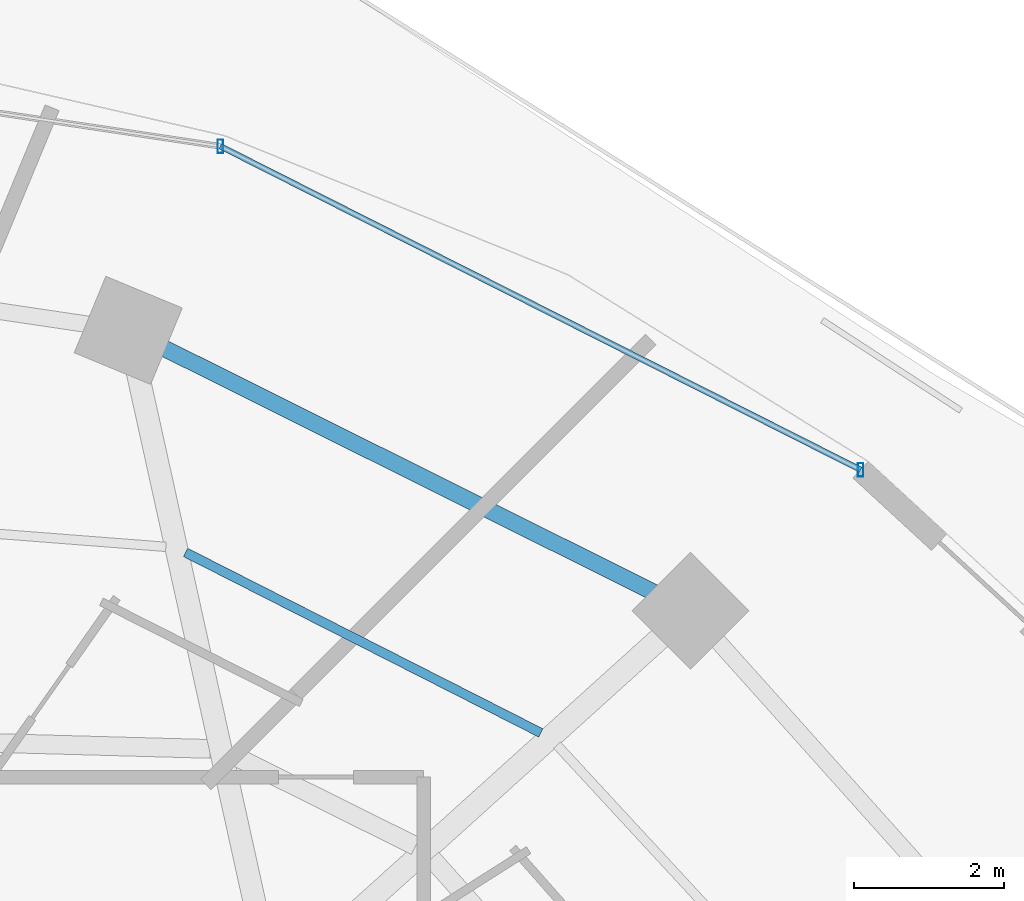
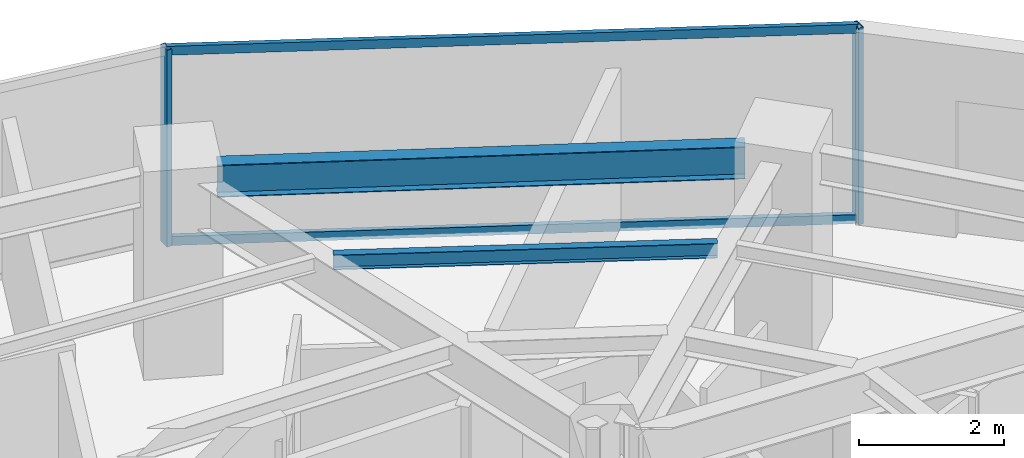
# One storey, part 22 of 31: 4 members, 2 beams, 1 element without a shape of its own.
"""IFC4 building model written with IfcOpenShell, lengths in metres."""

from ifc_helpers import new_model, si_unit, direction, frame, origin, origin_2d, place, context, subcontext, project, spatial, hollow_rectangle, i_section, extrude, material, material_profile, profile_set, type_object, element, aggregate, save


model = new_model("IFC4")

# Units and contexts
model_context = context("Model", 3, precision=1e-05, world=origin(), true_north=direction((0.0, 1.0)))
body_context = subcontext(model_context, "Body", "Model", "MODEL_VIEW")
ifc_project = project(units=[si_unit("LENGTHUNIT", "METRE"), si_unit("AREAUNIT", "SQUARE_METRE"), si_unit("VOLUMEUNIT", "CUBIC_METRE"), si_unit("PLANEANGLEUNIT", "RADIAN"), si_unit("MASSUNIT", "GRAM", prefix="KILO")], contexts=[model_context])

# Site, building, storey
site_placement = place(None, origin())
site = spatial("IfcSite", under=ifc_project, at=site_placement, CompositionType="ELEMENT")
building_placement = place(site_placement, origin())
building = spatial("IfcBuilding", under=site, at=building_placement, Name="Vorneva Point Tower", CompositionType="ELEMENT")
storey_placement = place(building_placement, frame((0.0, 0.0, 99.800048828125)))
storey = spatial("IfcBuildingStorey", under=building, at=storey_placement, Name="L26", CompositionType="ELEMENT", Elevation=99.800048828125)

# Beams
ifc_material_1 = material(Name="Steel S355", Category="steel")
ifc_material_profile_1 = material_profile(ifc_material_1, i_section(OverallWidth=0.1240234375, OverallDepth=0.248046875, WebThickness=0.0048828125, FlangeThickness=0.008056640625, at=origin_2d()), Name="25B1")
ifc_profile_set_1 = profile_set([ifc_material_profile_1], Name="Steel S355")
beam_type_1 = type_object("IfcBeamType", Name="BM-JST-25B1", PredefinedType="JOIST", material=ifc_profile_set_1)
beam_1_placement = place(storey_placement, frame((52.307373046875, 36.537109375, 3.115966796875), z_axis=(-0.89155318404, 0.452916018737, 0.0), x_axis=(-0.452916018737, -0.89155318404, 0.0)))
element("IfcBeam", 1, at=beam_1_placement, inside=storey, type_object=beam_type_1, Name="L26 Secondary Floor Beam 1.03", PredefinedType="JOIST", context=body_context, shape_type="SweptSolid", body=[
    extrude(i_section(OverallWidth=0.1240234375, OverallDepth=0.248046875, WebThickness=0.0048828125, FlangeThickness=0.008056640625, at=origin_2d()), origin(), (0.0, 0.0, 1.0), 5.30029296875),
])
ifc_material_profile_2 = material_profile(ifc_material_1, i_section(OverallWidth=0.219970703125, OverallDepth=0.54296875, WebThickness=0.009521484375, FlangeThickness=0.013427734375, at=origin_2d()), Name="55B1")
ifc_profile_set_2 = profile_set([ifc_material_profile_2], Name="Steel S355")
beam_type_2 = type_object("IfcBeamType", Name="BM-SPN-55B1", PredefinedType="SPANDREL", material=ifc_profile_set_2)
beam_2_placement = place(storey_placement, frame((53.820068359375, 38.40087890625, 2.968505859375), z_axis=(-0.894915882304, 0.446234874926, 0.0), x_axis=(-0.446234874926, -0.894915882304, 0.0)))
element("IfcBeam", 2, at=beam_2_placement, inside=storey, type_object=beam_type_2, Name="L26 Perimeter Spandrel Ring Beam 03", PredefinedType="SPANDREL", context=body_context, shape_type="SweptSolid", body=[
    extrude(i_section(OverallWidth=0.219970703125, OverallDepth=0.54296875, WebThickness=0.009521484375, FlangeThickness=0.013427734375, at=origin_2d()), origin(), (0.0, 0.0, 1.0), 7.285888671875),
])

# Curtain wall, members
ifc_material_2 = material(Name="Pale anodised aluminium", Category="aluminium")
curtain_wall_type = type_object("IfcCurtainWallType", Name="CW-HTL-SYS", PredefinedType="NOTDEFINED", material=ifc_material_2)
curtain_wall_placement = place(storey_placement, origin())
curtain_wall = element("IfcCurtainWall", 3, at=curtain_wall_placement, inside=storey, type_object=curtain_wall_type, Name="L26 Unitised Curtain Wall CW-L26-R02", PredefinedType="NOTDEFINED")
ifc_material_profile_3 = material_profile(ifc_material_2, hollow_rectangle(XDim=0.074951171875, YDim=0.179931640625, WallThickness=0.00390625, at=origin_2d()), Name="AL-MUL 180x75x4")
ifc_profile_set_3 = profile_set([ifc_material_profile_3], Name="Pale anodised aluminium")
member_type_1 = type_object("IfcMemberType", Name="CW-MUL-180", PredefinedType="MULLION", material=ifc_profile_set_3)
member_1_placement = place(storey_placement, frame((56.5615234375, 40.0361328125, -0.0400390625), z_axis=(0.0, 0.0, 1.0), x_axis=(1.0, 0.0, 0.0)))
member_1 = element("IfcMember", 4, at=member_1_placement, type_object=member_type_1, Name="CW-L26-R02 Mullion 01", PredefinedType="MULLION", context=body_context, shape_type="SweptSolid", body=[
    extrude(hollow_rectangle(XDim=0.074951171875, YDim=0.179931640625, WallThickness=0.00390625, at=origin_2d()), origin(), (0.0, 0.0, 1.0), 3.31005859375),
])
member_2_placement = place(storey_placement, frame((48.04541015625, 44.339111328125, -0.0400390625), z_axis=(0.0, 0.0, 1.0), x_axis=(1.0, 0.0, 0.0)))
member_2 = element("IfcMember", 5, at=member_2_placement, type_object=member_type_1, Name="CW-L26-R02 Mullion 02", PredefinedType="MULLION", context=body_context, shape_type="SweptSolid", body=[
    extrude(hollow_rectangle(XDim=0.074951171875, YDim=0.179931640625, WallThickness=0.00390625, at=origin_2d()), origin(), (0.0, 0.0, 1.0), 3.31005859375),
])
ifc_material_profile_4 = material_profile(ifc_material_2, hollow_rectangle(XDim=0.074951171875, YDim=0.14990234375, WallThickness=0.00390625, at=origin_2d()), Name="AL-TRN 150x75x4")
ifc_profile_set_4 = profile_set([ifc_material_profile_4], Name="Pale anodised aluminium")
member_type_2 = type_object("IfcMemberType", Name="CW-TRN-150", PredefinedType="USERDEFINED", material=ifc_profile_set_4)
member_3_placement = place(storey_placement, frame((56.5615234375, 40.0361328125, 0.02001953125), z_axis=(-0.892536035732, 0.450976080207, 0.0), x_axis=(-0.450976080207, -0.892536035732, 0.0)))
member_3 = element("IfcMember", 6, at=member_3_placement, type_object=member_type_2, Name="CW-L26-R02 Transom 01.1", ObjectType="TRANSOM", PredefinedType="USERDEFINED", context=body_context, shape_type="SweptSolid", body=[
    extrude(hollow_rectangle(XDim=0.074951171875, YDim=0.14990234375, WallThickness=0.00390625, at=origin_2d()), origin(), (0.0, 0.0, 1.0), 9.54150390625),
])
member_4_placement = place(storey_placement, frame((56.5615234375, 40.0361328125, 3.219970703125), z_axis=(-0.892536035732, 0.450976080207, 0.0), x_axis=(-0.450976080207, -0.892536035732, 0.0)))
member_4 = element("IfcMember", 7, at=member_4_placement, type_object=member_type_2, Name="CW-L26-R02 Transom 01.2", ObjectType="TRANSOM", PredefinedType="USERDEFINED", context=body_context, shape_type="SweptSolid", body=[
    extrude(hollow_rectangle(XDim=0.074951171875, YDim=0.14990234375, WallThickness=0.00390625, at=origin_2d()), origin(), (0.0, 0.0, 1.0), 9.54150390625),
])
aggregate(curtain_wall, [member_1, member_2, member_3, member_4])

save(model, "model.ifc")
